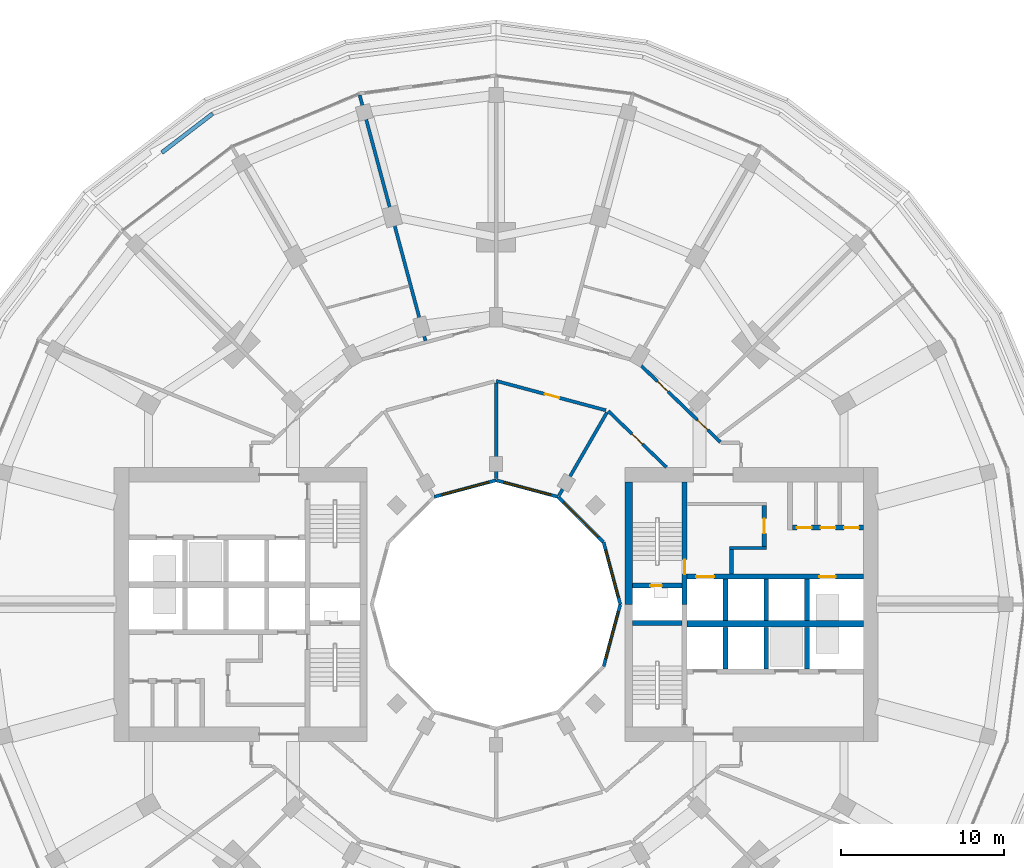
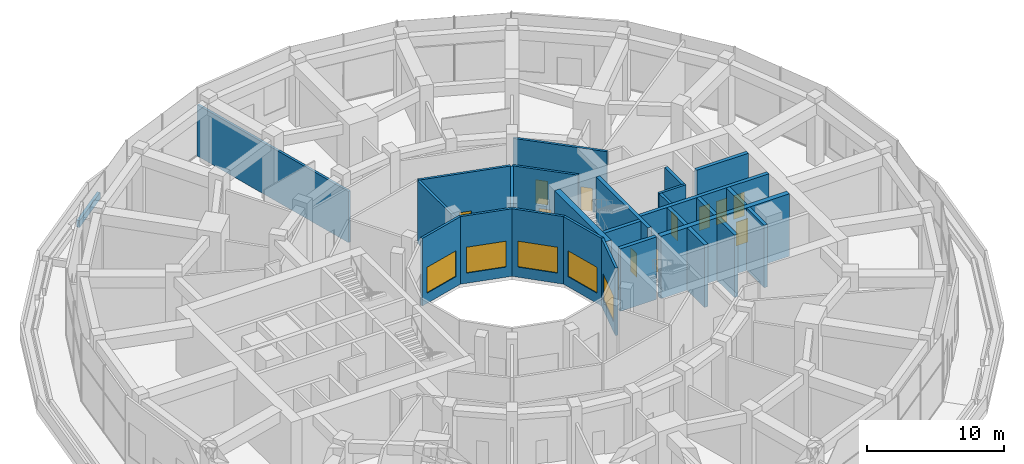
# One storey, part 19 of 23: 28 walls, 12 doors, 5 windows, 17 openings.
"""IFC4 building model written with IfcOpenShell, lengths in metres."""

from ifc_helpers import new_model, si_unit, direction, frame, frame_2d, origin, place, context, subcontext, project, spatial, rectangle, extrude, material, layer, layer_set, type_object, element, fill, save


model = new_model("IFC4")

# Units and contexts
model_context = context("Model", 3, precision=1e-05, world=origin(), true_north=direction((0.0, 1.0)))
body_context = subcontext(model_context, "Body", "Model", "MODEL_VIEW")
ifc_project = project(units=[si_unit("LENGTHUNIT", "METRE"), si_unit("AREAUNIT", "SQUARE_METRE"), si_unit("VOLUMEUNIT", "CUBIC_METRE"), si_unit("PLANEANGLEUNIT", "RADIAN"), si_unit("MASSUNIT", "GRAM", prefix="KILO")], contexts=[model_context])

# Site, building, storey
site_placement = place(None, origin())
site = spatial("IfcSite", under=ifc_project, at=site_placement, CompositionType="ELEMENT")
building_placement = place(site_placement, origin())
building = spatial("IfcBuilding", under=site, at=building_placement, Name="Torre Brocal", CompositionType="ELEMENT")
storey_placement = place(building_placement, frame((0.0, 0.0, 17.800048828125)))
storey = spatial("IfcBuildingStorey", under=building, at=storey_placement, Name="L03", CompositionType="ELEMENT", Elevation=17.800048828125)

# Wall
ifc_material_1 = material(Name="Concrete C80", Category="concrete")
ifc_layer_1 = layer(ifc_material_1, 0.199951171875)
ifc_layer_set_1 = layer_set([ifc_layer_1], Name="Concrete C80")
wall_type_1 = type_object("IfcWallType", Name="CORE WALL 200 C80 UNDER 450 SLAB", PredefinedType="SHEAR", material=ifc_layer_set_1)
wall_1_placement = place(storey_placement, frame((94.300048828125, 78.449951171875, 0.0), z_axis=(0.0, 0.0, 1.0), x_axis=(1.0, 0.0, 0.0)))
element("IfcWall", 1, at=wall_1_placement, inside=storey, type_object=wall_type_1, Name="Wall CW200-80-S450", PredefinedType="SHEAR", context=body_context, shape_type="SweptSolid", body=[
    extrude(rectangle(XDim=2.25, YDim=0.199951171875, at=frame_2d((1.125, 0.0))), origin(), (0.0, 0.0, 1.0), 5.550048828125),
])

# Wall, opening, door
ifc_material_2 = material(Name="Concrete C80", Category="concrete")
ifc_layer_2 = layer(ifc_material_2, 0.25)
ifc_layer_set_2 = layer_set([ifc_layer_2], Name="Concrete C80")
wall_type_2 = type_object("IfcWallType", Name="CORE WALL 250 C80 UNDER 450 SLAB", PredefinedType="SHEAR", material=ifc_layer_set_2)
wall_2_placement = place(storey_placement, frame((96.425048828125, 78.550048828125, 0.0), z_axis=(0.0, 0.0, 1.0), x_axis=(0.0, 1.0, 0.0)))
wall_2 = element("IfcWall", 2, at=wall_2_placement, inside=storey, type_object=wall_type_2, Name="Wall CW250-80-S450", PredefinedType="SHEAR", context=body_context, shape_type="SweptSolid", body=[
    extrude(rectangle(XDim=2.5, YDim=0.25, at=frame_2d((1.25, 0.0))), origin(), (0.0, 0.0, 1.0), 5.550048828125),
])
opening_1_placement = place(wall_2_placement, frame((0.800048828125, 0.0, 0.0)))
opening_1 = element("IfcOpeningElement", 3, at=opening_1_placement, cuts=wall_2, Name="Opening E-D15", PredefinedType="OPENING", context=body_context, shape_type="SweptSolid", body=[
    extrude(rectangle(XDim=0.89990234375, YDim=2.10009765625, at=frame_2d((0.449951171875, 1.050048828125))), frame((0.0, 0.135009765625, 0.0), z_axis=(0.0, -1.0, 0.0), x_axis=(1.0, 0.0, 0.0)), (0.0, 0.0, 1.0), 0.27001953125),
])
ifc_material_3 = material(Name="Steel A653", Category="steel")
door_type_1 = type_object("IfcDoorType", Name="LOBBY DOOR FD120 900X2100", OperationType="SINGLE_SWING_RIGHT", PredefinedType="DOOR", material=ifc_material_3)
door_1_placement = place(opening_1_placement, origin())
door_1 = element("IfcDoor", 4, at=door_1_placement, inside=storey, type_object=door_type_1, Name="Door E-D15", OperationType="SINGLE_SWING_LEFT", OverallHeight=2.10009765625, OverallWidth=0.89990234375, PredefinedType="DOOR", context=body_context, shape_type="SweptSolid", body=[
    extrude(rectangle(XDim=0.89990234375, YDim=2.10009765625, at=frame_2d((0.449951171875, 1.050048828125))), frame((0.0, 0.02490234375, 0.0), z_axis=(0.0, -1.0, 0.0), x_axis=(1.0, 0.0, 0.0)), (0.0, 0.0, 1.0), 0.050048828125),
])
fill(opening_1, door_1)

# Wall
wall_3_placement = place(storey_placement, frame((94.425048828125, 76.85009765625, 0.0), z_axis=(0.0, 0.0, 1.0), x_axis=(0.0, 1.0, 0.0)))
element("IfcWall", 5, at=wall_3_placement, inside=storey, type_object=wall_type_2, Name="Wall CW250-80-S450", PredefinedType="SHEAR", context=body_context, shape_type="SweptSolid", body=[
    extrude(rectangle(XDim=1.5, YDim=0.25, at=frame_2d((0.75, 0.0))), origin(), (0.0, 0.0, 1.0), 5.550048828125),
])

# Wall, opening, door
ifc_material_4 = material(Name="Concrete C80", Category="concrete")
ifc_layer_3 = layer(ifc_material_4, 0.300048828125)
ifc_layer_set_3 = layer_set([ifc_layer_3], Name="Concrete C80")
wall_type_3 = type_object("IfcWallType", Name="CORE WALL 300 C80 UNDER 450 SLAB", PredefinedType="SHEAR", material=ifc_layer_set_3)
wall_4_placement = place(storey_placement, frame((91.550048828125, 75.0, 0.0), z_axis=(0.0, 0.0, 1.0), x_axis=(0.0, 1.0, 0.0)))
wall_4 = element("IfcWall", 6, at=wall_4_placement, inside=storey, type_object=wall_type_3, Name="Wall CW300-80-S450", PredefinedType="SHEAR", context=body_context, shape_type="SweptSolid", body=[
    extrude(rectangle(XDim=7.5, YDim=0.300048828125, at=frame_2d((3.75, 0.0))), origin(), (0.0, 0.0, 1.0), 5.550048828125),
])
opening_2_placement = place(wall_4_placement, frame((1.85009765625, 0.0, 0.0)))
opening_2 = element("IfcOpeningElement", 7, at=opening_2_placement, cuts=wall_4, Name="Opening E-D02", PredefinedType="OPENING", context=body_context, shape_type="SweptSolid", body=[
    extrude(rectangle(XDim=0.89990234375, YDim=2.10009765625, at=frame_2d((0.449951171875, 1.050048828125))), frame((0.0, 0.159912109375, 0.0), z_axis=(0.0, -1.0, 0.0), x_axis=(1.0, 0.0, 0.0)), (0.0, 0.0, 1.0), 0.320068359375),
])
ifc_material_5 = material(Name="Steel A653", Category="steel")
door_type_2 = type_object("IfcDoorType", Name="STAIR DOOR FD120 900X2100", OperationType="SINGLE_SWING_RIGHT", PredefinedType="DOOR", material=ifc_material_5)
door_2_placement = place(opening_2_placement, origin())
door_2 = element("IfcDoor", 8, at=door_2_placement, inside=storey, type_object=door_type_2, Name="Door E-D02", OperationType="SINGLE_SWING_LEFT", OverallHeight=2.10009765625, OverallWidth=0.89990234375, PredefinedType="DOOR", context=body_context, shape_type="SweptSolid", body=[
    extrude(rectangle(XDim=0.89990234375, YDim=2.10009765625, at=frame_2d((0.449951171875, 1.050048828125))), frame((0.0, 0.02490234375, 0.0), z_axis=(0.0, -1.0, 0.0), x_axis=(1.0, 0.0, 0.0)), (0.0, 0.0, 1.0), 0.050048828125),
])
fill(opening_2, door_2)

wall_5_placement = place(storey_placement, frame((88.35009765625, 76.14990234375, 0.0), z_axis=(0.0, 0.0, 1.0), x_axis=(1.0, 0.0, 0.0)))
wall_5 = element("IfcWall", 9, at=wall_5_placement, inside=storey, type_object=wall_type_3, Name="Wall CW300-80-S450", PredefinedType="SHEAR", context=body_context, shape_type="SweptSolid", body=[
    extrude(rectangle(XDim=3.0498046875, YDim=0.300048828125, at=frame_2d((1.52490234375, 0.0))), origin(), (0.0, 0.0, 1.0), 5.550048828125),
])
opening_3_placement = place(wall_5_placement, frame((1.10009765625, 0.0, 0.0)))
opening_3 = element("IfcOpeningElement", 10, at=opening_3_placement, cuts=wall_5, Name="Opening E-D01", PredefinedType="OPENING", context=body_context, shape_type="SweptSolid", body=[
    extrude(rectangle(XDim=0.699951171875, YDim=2.0, at=frame_2d((0.35009765625, 1.0))), frame((0.0, 0.159912109375, 0.0), z_axis=(0.0, -1.0, 0.0), x_axis=(1.0, 0.0, 0.0)), (0.0, 0.0, 1.0), 0.320068359375),
])
ifc_material_6 = material(Name="Steel A653", Category="steel")
door_type_3 = type_object("IfcDoorType", Name="RISER DOOR FD120 700X2000", OperationType="SINGLE_SWING_LEFT", PredefinedType="DOOR", material=ifc_material_6)
door_3_placement = place(opening_3_placement, frame((0.699951171875, 0.0, 0.0), z_axis=(0.0, 0.0, 1.0), x_axis=(-1.0, 0.0, 0.0)))
door_3 = element("IfcDoor", 11, at=door_3_placement, inside=storey, type_object=door_type_3, Name="Door E-D01", OperationType="SINGLE_SWING_RIGHT", OverallHeight=2.0, OverallWidth=0.699951171875, PredefinedType="DOOR", context=body_context, shape_type="SweptSolid", body=[
    extrude(rectangle(XDim=0.699951171875, YDim=2.0, at=frame_2d((0.35009765625, 1.0))), frame((0.0, 0.02490234375, 0.0), z_axis=(0.0, -1.0, 0.0), x_axis=(1.0, 0.0, 0.0)), (0.0, 0.0, 1.0), 0.050048828125),
])
fill(opening_3, door_3)

# Wall
wall_6_placement = place(storey_placement, frame((88.35009765625, 73.85009765625, 0.0), z_axis=(0.0, 0.0, 1.0), x_axis=(1.0, 0.0, 0.0)))
element("IfcWall", 12, at=wall_6_placement, inside=storey, type_object=wall_type_3, Name="Wall CW300-80-S450", PredefinedType="SHEAR", context=body_context, shape_type="SweptSolid", body=[
    extrude(rectangle(XDim=3.0498046875, YDim=0.300048828125, at=frame_2d((1.52490234375, 0.0))), origin(), (0.0, 0.0, 1.0), 5.550048828125),
])

# Wall, openings, doors
wall_7_placement = place(storey_placement, frame((91.699951171875, 76.699951171875, 0.0), z_axis=(0.0, 0.0, 1.0), x_axis=(1.0, 0.0, 0.0)))
wall_7 = element("IfcWall", 13, at=wall_7_placement, inside=storey, type_object=wall_type_3, Name="Wall CW300-80-S450", PredefinedType="SHEAR", context=body_context, shape_type="SweptSolid", body=[
    extrude(rectangle(XDim=10.800048828125, YDim=0.300048828125, at=frame_2d((5.39990234375, 0.0))), origin(), (0.0, 0.0, 1.0), 5.550048828125),
])
opening_4_placement = place(wall_7_placement, frame((0.550048828125, 0.0, 0.0)))
opening_4 = element("IfcOpeningElement", 14, at=opening_4_placement, cuts=wall_7, Name="Opening LD", PredefinedType="OPENING", context=body_context, shape_type="SweptSolid", body=[
    extrude(rectangle(XDim=1.10009765625, YDim=2.10009765625, at=frame_2d((0.550048828125, 1.050048828125))), frame((0.0, 0.159912109375, 0.0), z_axis=(0.0, -1.0, 0.0), x_axis=(1.0, 0.0, 0.0)), (0.0, 0.0, 1.0), 0.320068359375),
])
opening_5_placement = place(wall_7_placement, frame((8.10009765625, 0.0, 0.0)))
opening_5 = element("IfcOpeningElement", 15, at=opening_5_placement, cuts=wall_7, Name="Opening LD10", PredefinedType="OPENING", context=body_context, shape_type="SweptSolid", body=[
    extrude(rectangle(XDim=1.0, YDim=2.10009765625, at=frame_2d((0.5, 1.050048828125))), frame((0.0, 0.159912109375, 0.0), z_axis=(0.0, -1.0, 0.0), x_axis=(1.0, 0.0, 0.0)), (0.0, 0.0, 1.0), 0.320068359375),
])
ifc_material_7 = material(Name="Stainless steel AISI 316", Category="steel")
door_type_4 = type_object("IfcDoorType", Name="LIFT LANDING DOOR 1000X2100", OperationType="DOUBLE_DOOR_SLIDING", PredefinedType="DOOR", material=ifc_material_7)
door_4_placement = place(opening_5_placement, origin())
door_4 = element("IfcDoor", 16, at=door_4_placement, inside=storey, type_object=door_type_4, Name="Door LD10", OperationType="DOUBLE_DOOR_SLIDING", OverallHeight=2.10009765625, OverallWidth=1.0, PredefinedType="DOOR", context=body_context, shape_type="SweptSolid", body=[
    extrude(rectangle(XDim=1.0, YDim=2.10009765625, at=frame_2d((0.5, 1.050048828125))), frame((0.0, 0.02490234375, 0.0), z_axis=(0.0, -1.0, 0.0), x_axis=(1.0, 0.0, 0.0)), (0.0, 0.0, 1.0), 0.050048828125),
])
fill(opening_5, door_4)
ifc_material_8 = material(Name="Stainless steel AISI 316", Category="steel")
door_type_5 = type_object("IfcDoorType", Name="LIFT LANDING DOOR 1100X2100", OperationType="DOUBLE_DOOR_SLIDING", PredefinedType="DOOR", material=ifc_material_8)
door_5_placement = place(opening_4_placement, origin())
door_5 = element("IfcDoor", 17, at=door_5_placement, inside=storey, type_object=door_type_5, Name="Door LD", OperationType="DOUBLE_DOOR_SLIDING", OverallHeight=2.10009765625, OverallWidth=1.10009765625, PredefinedType="DOOR", context=body_context, shape_type="SweptSolid", body=[
    extrude(rectangle(XDim=1.10009765625, YDim=2.10009765625, at=frame_2d((0.550048828125, 1.050048828125))), frame((0.0, 0.02490234375, 0.0), z_axis=(0.0, -1.0, 0.0), x_axis=(1.0, 0.0, 0.0)), (0.0, 0.0, 1.0), 0.050048828125),
])
fill(opening_4, door_5)

# Walls
for number, where, z_axis, x_axis, name in (
    (18, (94.050048828125, 74.0, 0.0), (0.0, 0.0, 1.0), (0.0, 1.0, 0.0), "Wall CW300-80-S450"),
    (19, (96.550048828125, 74.0, 0.0), (0.0, 0.0, 1.0), (0.0, 1.0, 0.0), "Wall CW300-80-S450"),
    (20, (99.050048828125, 74.0, 0.0), (0.0, 0.0, 1.0), (0.0, 1.0, 0.0), "Wall CW300-80-S450"),
    (21, (94.050048828125, 71.050048828125, 0.0), (0.0, 0.0, 1.0), (0.0, 1.0, 0.0), "Wall CW300-80-S450"),
    (22, (96.550048828125, 71.050048828125, 0.0), (0.0, 0.0, 1.0), (0.0, 1.0, 0.0), "Wall CW300-80-S450"),
    (23, (99.050048828125, 71.050048828125, 0.0), (0.0, 0.0, 1.0), (0.0, 1.0, 0.0), "Wall CW300-80-S450"),
):
    element("IfcWall", number, at=place(storey_placement, frame(where, z_axis=z_axis, x_axis=x_axis)), inside=storey, type_object=wall_type_3, Name=name, PredefinedType="SHEAR", context=body_context, shape_type="SweptSolid", body=[
        extrude(rectangle(XDim=2.550048828125, YDim=0.300048828125, at=frame_2d((1.27490234375, 0.0))), origin(), (0.0, 0.0, 1.0), 5.550048828125),
    ])

# Wall, openings, doors
wall_8_placement = place(storey_placement, frame((98.14990234375, 79.699951171875, 0.0), z_axis=(0.0, 0.0, 1.0), x_axis=(1.0, 0.0, 0.0)))
wall_8 = element("IfcWall", 24, at=wall_8_placement, inside=storey, type_object=wall_type_3, Name="Wall CW300-80-S450", PredefinedType="SHEAR", context=body_context, shape_type="SweptSolid", body=[
    extrude(rectangle(XDim=4.35009765625, YDim=0.300048828125, at=frame_2d((2.175048828125, 0.0))), origin(), (0.0, 0.0, 1.0), 5.550048828125),
])
opening_6_placement = place(wall_8_placement, frame((0.27490234375, 0.0, 0.0)))
opening_6 = element("IfcOpeningElement", 25, at=opening_6_placement, cuts=wall_8, Name="Opening E-D05", PredefinedType="OPENING", context=body_context, shape_type="SweptSolid", body=[
    extrude(rectangle(XDim=0.89990234375, YDim=2.10009765625, at=frame_2d((0.449951171875, 1.050048828125))), frame((0.0, 0.159912109375, 0.0), z_axis=(0.0, -1.0, 0.0), x_axis=(1.0, 0.0, 0.0)), (0.0, 0.0, 1.0), 0.320068359375),
])
opening_7_placement = place(wall_8_placement, frame((1.72509765625, 0.0, 0.0)))
opening_7 = element("IfcOpeningElement", 26, at=opening_7_placement, cuts=wall_8, Name="Opening E-D06", PredefinedType="OPENING", context=body_context, shape_type="SweptSolid", body=[
    extrude(rectangle(XDim=0.89990234375, YDim=2.10009765625, at=frame_2d((0.449951171875, 1.050048828125))), frame((0.0, 0.159912109375, 0.0), z_axis=(0.0, -1.0, 0.0), x_axis=(1.0, 0.0, 0.0)), (0.0, 0.0, 1.0), 0.320068359375),
])
opening_8_placement = place(wall_8_placement, frame((3.175048828125, 0.0, 0.0)))
opening_8 = element("IfcOpeningElement", 27, at=opening_8_placement, cuts=wall_8, Name="Opening E-D07", PredefinedType="OPENING", context=body_context, shape_type="SweptSolid", body=[
    extrude(rectangle(XDim=0.89990234375, YDim=2.10009765625, at=frame_2d((0.449951171875, 1.050048828125))), frame((0.0, 0.159912109375, 0.0), z_axis=(0.0, -1.0, 0.0), x_axis=(1.0, 0.0, 0.0)), (0.0, 0.0, 1.0), 0.320068359375),
])
ifc_material_9 = material(Name="Steel A653", Category="steel")
door_type_6 = type_object("IfcDoorType", Name="ROOM DOOR FD30S 900X2100", OperationType="SINGLE_SWING_LEFT", PredefinedType="DOOR", material=ifc_material_9)
door_6_placement = place(opening_6_placement, origin())
door_6 = element("IfcDoor", 28, at=door_6_placement, inside=storey, type_object=door_type_6, Name="Door E-D05", OperationType="SINGLE_SWING_RIGHT", OverallHeight=2.10009765625, OverallWidth=0.89990234375, PredefinedType="DOOR", context=body_context, shape_type="SweptSolid", body=[
    extrude(rectangle(XDim=0.89990234375, YDim=2.10009765625, at=frame_2d((0.449951171875, 1.050048828125))), frame((0.0, 0.02490234375, 0.0), z_axis=(0.0, -1.0, 0.0), x_axis=(1.0, 0.0, 0.0)), (0.0, 0.0, 1.0), 0.050048828125),
])
fill(opening_6, door_6)
door_7_placement = place(opening_7_placement, origin())
door_7 = element("IfcDoor", 29, at=door_7_placement, inside=storey, type_object=door_type_6, Name="Door E-D06", OperationType="SINGLE_SWING_RIGHT", OverallHeight=2.10009765625, OverallWidth=0.89990234375, PredefinedType="DOOR", context=body_context, shape_type="SweptSolid", body=[
    extrude(rectangle(XDim=0.89990234375, YDim=2.10009765625, at=frame_2d((0.449951171875, 1.050048828125))), frame((0.0, 0.02490234375, 0.0), z_axis=(0.0, -1.0, 0.0), x_axis=(1.0, 0.0, 0.0)), (0.0, 0.0, 1.0), 0.050048828125),
])
fill(opening_7, door_7)
door_8_placement = place(opening_8_placement, origin())
door_8 = element("IfcDoor", 30, at=door_8_placement, inside=storey, type_object=door_type_6, Name="Door E-D07", OperationType="SINGLE_SWING_LEFT", OverallHeight=2.10009765625, OverallWidth=0.89990234375, PredefinedType="DOOR", context=body_context, shape_type="SweptSolid", body=[
    extrude(rectangle(XDim=0.89990234375, YDim=2.10009765625, at=frame_2d((0.449951171875, 1.050048828125))), frame((0.0, 0.02490234375, 0.0), z_axis=(0.0, -1.0, 0.0), x_axis=(1.0, 0.0, 0.0)), (0.0, 0.0, 1.0), 0.050048828125),
])
fill(opening_8, door_8)

# Walls
ifc_material_10 = material(Name="Concrete C80", Category="concrete")
ifc_layer_4 = layer(ifc_material_10, 0.39990234375)
ifc_layer_set_4 = layer_set([ifc_layer_4], Name="Concrete C80")
wall_type_4 = type_object("IfcWallType", Name="CORE WALL 400 C80 UNDER 450 SLAB", PredefinedType="SHEAR", material=ifc_layer_set_4)
wall_9_placement = place(storey_placement, frame((91.699951171875, 73.800048828125, 0.0), z_axis=(0.0, 0.0, 1.0), x_axis=(1.0, 0.0, 0.0)))
element("IfcWall", 31, at=wall_9_placement, inside=storey, type_object=wall_type_4, Name="Wall CW400-80-S450", PredefinedType="SHEAR", context=body_context, shape_type="SweptSolid", body=[
    extrude(rectangle(XDim=10.800048828125, YDim=0.39990234375, at=frame_2d((5.39990234375, 0.0))), origin(), (0.0, 0.0, 1.0), 5.550048828125),
])
ifc_material_11 = material(Name="Concrete C80", Category="concrete")
ifc_layer_5 = layer(ifc_material_11, 0.449951171875)
ifc_layer_set_5 = layer_set([ifc_layer_5], Name="Concrete C80")
wall_type_5 = type_object("IfcWallType", Name="CORE WALL 450 C80 UNDER 450 SLAB", PredefinedType="SHEAR", material=ifc_layer_set_5)
wall_10_placement = place(storey_placement, frame((88.125, 75.0, 0.0), z_axis=(0.0, 0.0, 1.0), x_axis=(0.0, 1.0, 0.0)))
element("IfcWall", 32, at=wall_10_placement, inside=storey, type_object=wall_type_5, Name="Wall CW450-80-S450", PredefinedType="SHEAR", context=body_context, shape_type="SweptSolid", body=[
    extrude(rectangle(XDim=7.5, YDim=0.449951171875, at=frame_2d((3.75, 0.0))), origin(), (0.0, 0.0, 1.0), 5.550048828125),
])
ifc_material_12 = material(Name="Gypsum board", Category="Gypsum")
ifc_layer_6 = layer(ifc_material_12, 0.199951171875)
ifc_layer_set_6 = layer_set([ifc_layer_6], Name="Gypsum board")
wall_type_6 = type_object("IfcWallType", Name="PARTITION 200 EI60", PredefinedType="PARTITIONING", material=ifc_layer_set_6)
wall_11_placement = place(storey_placement, frame((80.0, 82.698974609375, 0.0), z_axis=(0.0, 0.0, 1.0), x_axis=(0.0, 1.0, 0.0)))
element("IfcWall", 33, at=wall_11_placement, inside=storey, type_object=wall_type_6, Name="SERVICE ROOM WALL", PredefinedType="PARTITIONING", context=body_context, shape_type="SweptSolid", body=[
    extrude(rectangle(XDim=5.861083984375, YDim=0.199951171875, at=frame_2d((2.9306640625, 0.0))), origin(), (0.0, 0.0, 1.0), 5.550048828125),
])

# Wall, opening, door
wall_12_placement = place(storey_placement, frame((80.0, 88.68994140625, 0.0), z_axis=(0.0, 0.0, 1.0), x_axis=(0.965929896633, -0.258803853893, 0.0)))
wall_12 = element("IfcWall", 34, at=wall_12_placement, inside=storey, type_object=wall_type_6, Name="CORRIDOR WALL", PredefinedType="PARTITIONING", context=body_context, shape_type="SweptSolid", body=[
    extrude(rectangle(XDim=6.962890625, YDim=0.199951171875, at=frame_2d((3.4814453125, 0.0))), origin(), (0.0, 0.0, 1.0), 5.550048828125),
])
opening_9_placement = place(wall_12_placement, frame((3.1015625, 0.0, 0.0)))
opening_9 = element("IfcOpeningElement", 35, at=opening_9_placement, cuts=wall_12, Name="Opening PD3-D14", PredefinedType="OPENING", context=body_context, shape_type="SweptSolid", body=[
    extrude(rectangle(XDim=0.89990234375, YDim=2.10009765625, at=frame_2d((0.449951171875, 1.050048828125))), frame((0.0, 0.10986328125, 0.0), z_axis=(0.0, -1.0, 0.0), x_axis=(1.0, 0.0, 0.0)), (0.0, 0.0, 1.0), 0.219970703125),
])
ifc_material_13 = material(Name="Timber", Category="wood")
door_type_7 = type_object("IfcDoorType", Name="ROOM DOOR 900X2100", OperationType="SINGLE_SWING_LEFT", PredefinedType="DOOR", material=ifc_material_13)
door_9_placement = place(opening_9_placement, frame((0.89990234375, 0.0, 0.0), z_axis=(0.0, 0.0, 1.0), x_axis=(-1.0, 0.0, 0.0)))
door_9 = element("IfcDoor", 36, at=door_9_placement, inside=storey, type_object=door_type_7, Name="PD3-D14", OperationType="SINGLE_SWING_LEFT", OverallHeight=2.10009765625, OverallWidth=0.89990234375, PredefinedType="DOOR", context=body_context, shape_type="SweptSolid", body=[
    extrude(rectangle(XDim=0.89990234375, YDim=2.10009765625, at=frame_2d((0.449951171875, 1.050048828125))), frame((0.0, 0.02490234375, 0.0), z_axis=(0.0, -1.0, 0.0), x_axis=(1.0, 0.0, 0.0)), (0.0, 0.0, 1.0), 0.050048828125),
])
fill(opening_9, door_9)

# Wall
wall_13_placement = place(storey_placement, frame((83.849365234375, 81.666748046875, 0.0), z_axis=(0.0, 0.0, 1.0), x_axis=(0.500029580911, 0.866008324564, 0.0)))
element("IfcWall", 37, at=wall_13_placement, inside=storey, type_object=wall_type_6, Name="SERVICE ROOM WALL", PredefinedType="PARTITIONING", context=body_context, shape_type="SweptSolid", body=[
    extrude(rectangle(XDim=5.871826171875, YDim=0.199951171875, at=frame_2d((2.93603515625, 0.0))), origin(), (0.0, 0.0, 1.0), 5.550048828125),
])

# Wall, opening, door
wall_14_placement = place(storey_placement, frame((86.861083984375, 86.85205078125, 0.0), z_axis=(0.0, 0.0, 1.0), x_axis=(0.719448855188, -0.694545423114, 0.0)))
wall_14 = element("IfcWall", 38, at=wall_14_placement, inside=storey, type_object=wall_type_6, Name="CORRIDOR WALL", PredefinedType="PARTITIONING", context=body_context, shape_type="SweptSolid", body=[
    extrude(rectangle(XDim=4.970458984375, YDim=0.199951171875, at=frame_2d((2.4853515625, 0.0))), origin(), (0.0, 0.0, 1.0), 5.550048828125),
])
opening_10_placement = place(wall_14_placement, frame((2.03515625, 0.0, 0.0)))
opening_10 = element("IfcOpeningElement", 39, at=opening_10_placement, cuts=wall_14, Name="Opening PD3-D13", PredefinedType="OPENING", context=body_context, shape_type="SweptSolid", body=[
    extrude(rectangle(XDim=0.89990234375, YDim=2.10009765625, at=frame_2d((0.449951171875, 1.050048828125))), frame((0.0, 0.10986328125, 0.0), z_axis=(0.0, -1.0, 0.0), x_axis=(1.0, 0.0, 0.0)), (0.0, 0.0, 1.0), 0.219970703125),
])
door_10_placement = place(opening_10_placement, frame((0.89990234375, 0.0, 0.0), z_axis=(0.0, 0.0, 1.0), x_axis=(-1.0, 0.0, 0.0)))
door_10 = element("IfcDoor", 40, at=door_10_placement, inside=storey, type_object=door_type_7, Name="PD3-D13", OperationType="SINGLE_SWING_LEFT", OverallHeight=2.10009765625, OverallWidth=0.89990234375, PredefinedType="DOOR", context=body_context, shape_type="SweptSolid", body=[
    extrude(rectangle(XDim=0.89990234375, YDim=2.10009765625, at=frame_2d((0.449951171875, 1.050048828125))), frame((0.0, 0.02490234375, 0.0), z_axis=(0.0, -1.0, 0.0), x_axis=(1.0, 0.0, 0.0)), (0.0, 0.0, 1.0), 0.050048828125),
])
fill(opening_10, door_10)

# Wall, openings, doors
wall_15_placement = place(storey_placement, frame((88.6689453125, 89.83251953125, 0.0), z_axis=(0.0, 0.0, 1.0), x_axis=(0.719424754683, -0.694570386893, 0.0)))
wall_15 = element("IfcWall", 41, at=wall_15_placement, inside=storey, type_object=wall_type_6, Name="CORRIDOR WALL", PredefinedType="PARTITIONING", context=body_context, shape_type="SweptSolid", body=[
    extrude(rectangle(XDim=7.04296875, YDim=0.199951171875, at=frame_2d((3.521484375, 0.0))), origin(), (0.0, 0.0, 1.0), 5.550048828125),
])
opening_11_placement = place(wall_15_placement, frame((5.074462890625, 0.0, 0.0)))
opening_11 = element("IfcOpeningElement", 42, at=opening_11_placement, cuts=wall_15, Name="Opening PD3-D02", PredefinedType="OPENING", context=body_context, shape_type="SweptSolid", body=[
    extrude(rectangle(XDim=0.89990234375, YDim=2.10009765625, at=frame_2d((0.449951171875, 1.050048828125))), frame((0.0, 0.10986328125, 0.0), z_axis=(0.0, -1.0, 0.0), x_axis=(1.0, 0.0, 0.0)), (0.0, 0.0, 1.0), 0.219970703125),
])
opening_12_placement = place(wall_15_placement, frame((1.684326171875, 0.0, 0.0)))
opening_12 = element("IfcOpeningElement", 43, at=opening_12_placement, cuts=wall_15, Name="Opening PD3-D03", PredefinedType="OPENING", context=body_context, shape_type="SweptSolid", body=[
    extrude(rectangle(XDim=0.89990234375, YDim=2.10009765625, at=frame_2d((0.449951171875, 1.050048828125))), frame((0.0, 0.10986328125, 0.0), z_axis=(0.0, -1.0, 0.0), x_axis=(1.0, 0.0, 0.0)), (0.0, 0.0, 1.0), 0.219970703125),
])
door_11_placement = place(opening_11_placement, origin())
door_11 = element("IfcDoor", 44, at=door_11_placement, inside=storey, type_object=door_type_7, Name="PD3-D02", OperationType="SINGLE_SWING_LEFT", OverallHeight=2.10009765625, OverallWidth=0.89990234375, PredefinedType="DOOR", context=body_context, shape_type="SweptSolid", body=[
    extrude(rectangle(XDim=0.89990234375, YDim=2.10009765625, at=frame_2d((0.449951171875, 1.050048828125))), frame((0.0, 0.02490234375, 0.0), z_axis=(0.0, -1.0, 0.0), x_axis=(1.0, 0.0, 0.0)), (0.0, 0.0, 1.0), 0.050048828125),
])
fill(opening_11, door_11)
door_12_placement = place(opening_12_placement, origin())
door_12 = element("IfcDoor", 45, at=door_12_placement, inside=storey, type_object=door_type_7, Name="PD3-D03", OperationType="SINGLE_SWING_RIGHT", OverallHeight=2.10009765625, OverallWidth=0.89990234375, PredefinedType="DOOR", context=body_context, shape_type="SweptSolid", body=[
    extrude(rectangle(XDim=0.89990234375, YDim=2.10009765625, at=frame_2d((0.449951171875, 1.050048828125))), frame((0.0, 0.02490234375, 0.0), z_axis=(0.0, -1.0, 0.0), x_axis=(1.0, 0.0, 0.0)), (0.0, 0.0, 1.0), 0.050048828125),
])
fill(opening_12, door_12)

# Walls
ifc_material_14 = material(Name="Gypsum board", Category="Gypsum")
ifc_layer_7 = layer(ifc_material_14, 0.199951171875)
ifc_layer_set_7 = layer_set([ifc_layer_7], Name="Gypsum board")
wall_type_7 = type_object("IfcWallType", Name="PARTITION 200 EI60 UNDER BEAM 1450", PredefinedType="PARTITIONING", material=ifc_layer_set_7)
wall_16_placement = place(storey_placement, frame((71.641357421875, 106.197509765625, 0.0), z_axis=(0.0, 0.0, 1.0), x_axis=(0.258789366195, -0.96593377824, 0.0)))
element("IfcWall", 46, at=wall_16_placement, inside=storey, type_object=wall_type_7, Name="PARTY PARTITION", PredefinedType="PARTITIONING", context=body_context, shape_type="SweptSolid", body=[
    extrude(rectangle(XDim=15.574462890625, YDim=0.199951171875, at=frame_2d((7.787109375, 0.0))), origin(), (0.0, 0.0, 1.0), 4.550048828125),
])
ifc_material_15 = material(Name="Concrete C35", Category="concrete")
ifc_layer_8 = layer(ifc_material_15, 0.25)
ifc_layer_set_8 = layer_set([ifc_layer_8], Name="Concrete C35")
wall_type_8 = type_object("IfcWallType", Name="PLANTER WALL 250 THICK 600 HIGH 2", PredefinedType="USERDEFINED", material=ifc_layer_set_8)
wall_17_placement = place(storey_placement, frame((59.521240234375, 102.674072265625, 0.0), z_axis=(0.0, 0.0, 1.0), x_axis=(0.793344343828, 0.608773153249, 0.0)))
element("IfcWall", 47, at=wall_17_placement, inside=storey, type_object=wall_type_8, Name="PLANTER", ObjectType="PLANTER", PredefinedType="USERDEFINED", context=body_context, shape_type="SweptSolid", body=[
    extrude(rectangle(XDim=3.915283203125, YDim=0.25, at=frame_2d((1.95751953125, 0.0))), origin(), (0.0, 0.0, 1.0), 0.599853515625),
])

# Wall, opening, window
ifc_material_16 = material(Name="Concrete C40", Category="concrete")
ifc_layer_9 = layer(ifc_material_16, 0.199951171875)
ifc_layer_set_9 = layer_set([ifc_layer_9], Name="Concrete C40")
wall_type_9 = type_object("IfcWallType", Name="WELL FACADE WALL 200", PredefinedType="NOTDEFINED", material=ifc_layer_set_9)
wall_18_placement = place(storey_placement, frame((87.603515625, 75.0, 0.0), z_axis=(0.0, 0.0, 1.0), x_axis=(-0.258789828301, 0.965933654434, 0.0)))
wall_18 = element("IfcWall", 48, at=wall_18_placement, inside=storey, type_object=wall_type_9, Name="WELL FACADE WALL", PredefinedType="NOTDEFINED", context=body_context, shape_type="SweptSolid", body=[
    extrude(rectangle(XDim=3.935791015625, YDim=0.199951171875, at=frame_2d((1.9677734375, 0.0))), origin(), (0.0, 0.0, 1.0), 6.0),
])
opening_13_placement = place(wall_18_placement, frame((0.468017578125, 0.0, 0.89990234375)))
opening_13 = element("IfcOpeningElement", 49, at=opening_13_placement, cuts=wall_18, Name="Opening W1", PredefinedType="OPENING", context=body_context, shape_type="SweptSolid", body=[
    extrude(rectangle(XDim=3.0, YDim=2.300048828125, at=frame_2d((1.5, 1.14990234375))), frame((0.0, 0.10986328125, 0.0), z_axis=(0.0, -1.0, 0.0), x_axis=(1.0, 0.0, 0.0)), (0.0, 0.0, 1.0), 0.219970703125),
])
ifc_material_17 = material(Name="Aluminium and glass", Category="aluminium")
window_type = type_object("IfcWindowType", Name="WELL WINDOW 3000X2300", PartitioningType="SINGLE_PANEL", PredefinedType="WINDOW", material=ifc_material_17)
window_1_placement = place(opening_13_placement, origin())
window_1 = element("IfcWindow", 50, at=window_1_placement, inside=storey, type_object=window_type, Name="WELL WINDOW 3000X2300", OverallHeight=2.300048828125, OverallWidth=3.0, PartitioningType="SINGLE_PANEL", PredefinedType="WINDOW", context=body_context, shape_type="SweptSolid", body=[
    extrude(rectangle(XDim=3.0, YDim=2.300048828125, at=frame_2d((1.5, 1.14990234375))), frame((0.0, 0.030029296875, 0.0), z_axis=(0.0, -1.0, 0.0), x_axis=(1.0, 0.0, 0.0)), (0.0, 0.0, 1.0), 0.06005859375),
])
fill(opening_13, window_1)

wall_19_placement = place(storey_placement, frame((86.5849609375, 78.8017578125, 0.0), z_axis=(0.0, 0.0, 1.0), x_axis=(-0.707106781187, 0.707106781187, 0.0)))
wall_19 = element("IfcWall", 51, at=wall_19_placement, inside=storey, type_object=wall_type_9, Name="WELL FACADE WALL", PredefinedType="NOTDEFINED", context=body_context, shape_type="SweptSolid", body=[
    extrude(rectangle(XDim=3.93603515625, YDim=0.199951171875, at=frame_2d((1.968017578125, 0.0))), origin(), (0.0, 0.0, 1.0), 6.0),
])
opening_14_placement = place(wall_19_placement, frame((0.468017578125, 0.0, 0.89990234375)))
opening_14 = element("IfcOpeningElement", 52, at=opening_14_placement, cuts=wall_19, Name="Opening W1", PredefinedType="OPENING", context=body_context, shape_type="SweptSolid", body=[
    extrude(rectangle(XDim=3.0, YDim=2.300048828125, at=frame_2d((1.5, 1.14990234375))), frame((0.0, 0.10986328125, 0.0), z_axis=(0.0, -1.0, 0.0), x_axis=(1.0, 0.0, 0.0)), (0.0, 0.0, 1.0), 0.219970703125),
])
window_2_placement = place(opening_14_placement, origin())
window_2 = element("IfcWindow", 53, at=window_2_placement, inside=storey, type_object=window_type, Name="WELL WINDOW 3000X2300", OverallHeight=2.300048828125, OverallWidth=3.0, PartitioningType="SINGLE_PANEL", PredefinedType="WINDOW", context=body_context, shape_type="SweptSolid", body=[
    extrude(rectangle(XDim=3.0, YDim=2.300048828125, at=frame_2d((1.5, 1.14990234375))), frame((0.0, 0.030029296875, 0.0), z_axis=(0.0, -1.0, 0.0), x_axis=(1.0, 0.0, 0.0)), (0.0, 0.0, 1.0), 0.06005859375),
])
fill(opening_14, window_2)

wall_20_placement = place(storey_placement, frame((83.8017578125, 81.5849609375, 0.0), z_axis=(0.0, 0.0, 1.0), x_axis=(-0.965933654434, 0.258789828301, 0.0)))
wall_20 = element("IfcWall", 54, at=wall_20_placement, inside=storey, type_object=wall_type_9, Name="WELL FACADE WALL", PredefinedType="NOTDEFINED", context=body_context, shape_type="SweptSolid", body=[
    extrude(rectangle(XDim=3.935791015625, YDim=0.199951171875, at=frame_2d((1.9677734375, 0.0))), origin(), (0.0, 0.0, 1.0), 6.0),
])
opening_15_placement = place(wall_20_placement, frame((0.468017578125, 0.0, 0.89990234375)))
opening_15 = element("IfcOpeningElement", 55, at=opening_15_placement, cuts=wall_20, Name="Opening W1", PredefinedType="OPENING", context=body_context, shape_type="SweptSolid", body=[
    extrude(rectangle(XDim=3.0, YDim=2.300048828125, at=frame_2d((1.5, 1.14990234375))), frame((0.0, 0.10986328125, 0.0), z_axis=(0.0, -1.0, 0.0), x_axis=(1.0, 0.0, 0.0)), (0.0, 0.0, 1.0), 0.219970703125),
])
window_3_placement = place(opening_15_placement, origin())
window_3 = element("IfcWindow", 56, at=window_3_placement, inside=storey, type_object=window_type, Name="WELL WINDOW 3000X2300", OverallHeight=2.300048828125, OverallWidth=3.0, PartitioningType="SINGLE_PANEL", PredefinedType="WINDOW", context=body_context, shape_type="SweptSolid", body=[
    extrude(rectangle(XDim=3.0, YDim=2.300048828125, at=frame_2d((1.5, 1.14990234375))), frame((0.0, 0.030029296875, 0.0), z_axis=(0.0, -1.0, 0.0), x_axis=(1.0, 0.0, 0.0)), (0.0, 0.0, 1.0), 0.06005859375),
])
fill(opening_15, window_3)

wall_21_placement = place(storey_placement, frame((80.0, 82.603515625, 0.0), z_axis=(0.0, 0.0, 1.0), x_axis=(-0.965933654434, -0.258789828301, 0.0)))
wall_21 = element("IfcWall", 57, at=wall_21_placement, inside=storey, type_object=wall_type_9, Name="WELL FACADE WALL", PredefinedType="NOTDEFINED", context=body_context, shape_type="SweptSolid", body=[
    extrude(rectangle(XDim=3.935791015625, YDim=0.199951171875, at=frame_2d((1.9677734375, 0.0))), origin(), (0.0, 0.0, 1.0), 6.0),
])
opening_16_placement = place(wall_21_placement, frame((0.468017578125, 0.0, 0.89990234375)))
opening_16 = element("IfcOpeningElement", 58, at=opening_16_placement, cuts=wall_21, Name="Opening W1", PredefinedType="OPENING", context=body_context, shape_type="SweptSolid", body=[
    extrude(rectangle(XDim=3.0, YDim=2.300048828125, at=frame_2d((1.5, 1.14990234375))), frame((0.0, 0.10986328125, 0.0), z_axis=(0.0, -1.0, 0.0), x_axis=(1.0, 0.0, 0.0)), (0.0, 0.0, 1.0), 0.219970703125),
])
window_4_placement = place(opening_16_placement, origin())
window_4 = element("IfcWindow", 59, at=window_4_placement, inside=storey, type_object=window_type, Name="WELL WINDOW 3000X2300", OverallHeight=2.300048828125, OverallWidth=3.0, PartitioningType="SINGLE_PANEL", PredefinedType="WINDOW", context=body_context, shape_type="SweptSolid", body=[
    extrude(rectangle(XDim=3.0, YDim=2.300048828125, at=frame_2d((1.5, 1.14990234375))), frame((0.0, 0.030029296875, 0.0), z_axis=(0.0, -1.0, 0.0), x_axis=(1.0, 0.0, 0.0)), (0.0, 0.0, 1.0), 0.06005859375),
])
fill(opening_16, window_4)

wall_22_placement = place(storey_placement, frame((86.5849609375, 71.1982421875, 0.0), z_axis=(0.0, 0.0, 1.0), x_axis=(0.258789828301, 0.965933654434, 0.0)))
wall_22 = element("IfcWall", 60, at=wall_22_placement, inside=storey, type_object=wall_type_9, Name="WELL FACADE WALL", PredefinedType="NOTDEFINED", context=body_context, shape_type="SweptSolid", body=[
    extrude(rectangle(XDim=3.935791015625, YDim=0.199951171875, at=frame_2d((1.9677734375, 0.0))), origin(), (0.0, 0.0, 1.0), 6.0),
])
opening_17_placement = place(wall_22_placement, frame((0.468017578125, 0.0, 0.89990234375)))
opening_17 = element("IfcOpeningElement", 61, at=opening_17_placement, cuts=wall_22, Name="Opening W1", PredefinedType="OPENING", context=body_context, shape_type="SweptSolid", body=[
    extrude(rectangle(XDim=3.0, YDim=2.300048828125, at=frame_2d((1.5, 1.14990234375))), frame((0.0, 0.10986328125, 0.0), z_axis=(0.0, -1.0, 0.0), x_axis=(1.0, 0.0, 0.0)), (0.0, 0.0, 1.0), 0.219970703125),
])
window_5_placement = place(opening_17_placement, origin())
window_5 = element("IfcWindow", 62, at=window_5_placement, inside=storey, type_object=window_type, Name="WELL WINDOW 3000X2300", OverallHeight=2.300048828125, OverallWidth=3.0, PartitioningType="SINGLE_PANEL", PredefinedType="WINDOW", context=body_context, shape_type="SweptSolid", body=[
    extrude(rectangle(XDim=3.0, YDim=2.300048828125, at=frame_2d((1.5, 1.14990234375))), frame((0.0, 0.030029296875, 0.0), z_axis=(0.0, -1.0, 0.0), x_axis=(1.0, 0.0, 0.0)), (0.0, 0.0, 1.0), 0.06005859375),
])
fill(opening_17, window_5)

save(model, "model.ifc")
